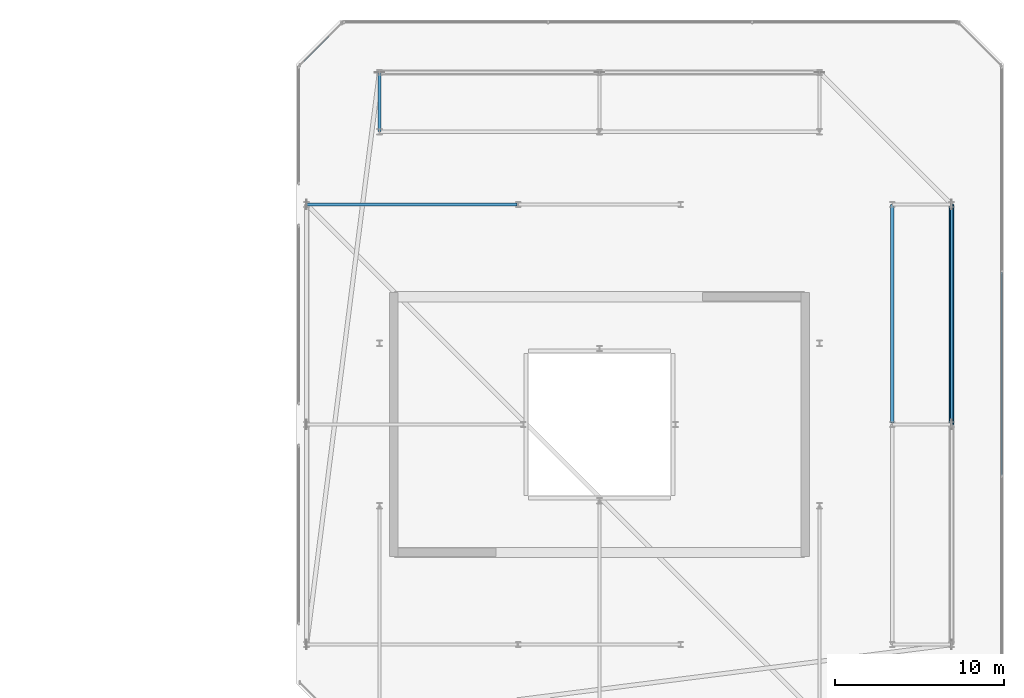
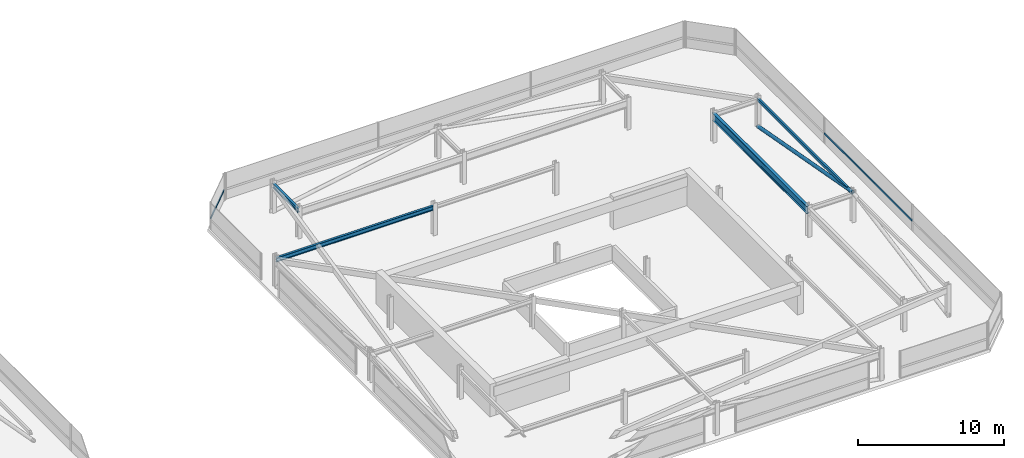
# One storey, part 32 of 42: 4 beams, 3 members, 2 elements without a shape of their own.
"""IFC4 building model written with IfcOpenShell, lengths in metres."""

from ifc_helpers import new_model, si_unit, direction, frame, origin, origin_2d, place, context, subcontext, project, spatial, hollow_rectangle, hollow_circle, i_section, extrude, material, material_profile, profile_set, type_object, element, aggregate, save


model = new_model("IFC4")

# Units and contexts
model_context = context("Model", 3, precision=1e-05, world=origin(), true_north=direction((0.0, 1.0)))
body_context = subcontext(model_context, "Body", "Model", "MODEL_VIEW")
ifc_project = project(units=[si_unit("LENGTHUNIT", "METRE"), si_unit("AREAUNIT", "SQUARE_METRE"), si_unit("VOLUMEUNIT", "CUBIC_METRE"), si_unit("PLANEANGLEUNIT", "RADIAN"), si_unit("MASSUNIT", "GRAM", prefix="KILO")], contexts=[model_context])

# Site, building, storey
site_placement = place(None, origin())
site = spatial("IfcSite", under=ifc_project, at=site_placement, CompositionType="ELEMENT")
building_placement = place(site_placement, origin())
building = spatial("IfcBuilding", under=site, at=building_placement, Name="Thornwick Lancets Civic Towers", CompositionType="ELEMENT")
storey_placement = place(building_placement, frame((0.0, 0.0, 286.800048828125)))
storey = spatial("IfcBuildingStorey", under=building, at=storey_placement, Name="C03", CompositionType="ELEMENT", Elevation=286.800048828125)

# Beams
ifc_material_1 = material(Name="Steel S355JR", Category="steel")
ifc_material_profile_1 = material_profile(ifc_material_1, hollow_rectangle(XDim=0.14990234375, YDim=0.25, WallThickness=0.012451171875, at=origin_2d()), Name="RHS 250x150x12.5")
ifc_profile_set_1 = profile_set([ifc_material_profile_1], Name="Steel S355JR")
beam_type_1 = type_object("IfcBeamType", Name="BM_CROWN_RHS250", PredefinedType="BEAM", material=ifc_profile_set_1)
beam_1_placement = place(storey_placement, frame((109.300048828125, 27.080078125, 2.31494140625), z_axis=(0.0, 1.0, 0.0), x_axis=(-1.0, 0.0, 0.0)))
element("IfcBeam", 1, at=beam_1_placement, inside=storey, type_object=beam_type_1, Name="BM-EDGE-C03-B-S0-2", PredefinedType="BEAM", context=body_context, shape_type="SweptSolid", body=[
    extrude(hollow_rectangle(XDim=0.14990234375, YDim=0.25, WallThickness=0.012451171875, at=origin_2d()), origin(), (0.0, 0.0, 1.0), 12.919921875),
])
ifc_material_profile_2 = material_profile(ifc_material_1, i_section(OverallWidth=0.230224609375, OverallDepth=0.6171875, WebThickness=0.01318359375, FlangeThickness=0.022216796875, FilletRadius=0.0126953125, at=origin_2d()), Name="UKB 610x229x140")
ifc_profile_set_2 = profile_set([ifc_material_profile_2], Name="Steel S355JR")
beam_type_2 = type_object("IfcBeamType", Name="BM_GIRD_610_140", PredefinedType="BEAM", material=ifc_profile_set_2)
beam_2_placement = place(storey_placement, frame((105.800048828125, 27.080078125, 2.13134765625), z_axis=(0.0, 1.0, 0.0), x_axis=(-1.0, 0.0, 0.0)))
element("IfcBeam", 2, at=beam_2_placement, inside=storey, type_object=beam_type_2, Name="BM-SPINE-C03-B-1-2", PredefinedType="BEAM", context=body_context, shape_type="SweptSolid", body=[
    extrude(i_section(OverallWidth=0.230224609375, OverallDepth=0.6171875, WebThickness=0.01318359375, FlangeThickness=0.022216796875, FilletRadius=0.0126953125, at=origin_2d()), origin(), (0.0, 0.0, 1.0), 12.919921875),
])
ifc_material_profile_3 = material_profile(ifc_material_1, i_section(OverallWidth=0.173095703125, OverallDepth=0.36328125, WebThickness=0.009033203125, FlangeThickness=0.015625, FilletRadius=0.01025390625, at=origin_2d()), Name="UKB 356x171x67")
ifc_profile_set_3 = profile_set([ifc_material_profile_3], Name="Steel S355JR")
beam_type_3 = type_object("IfcBeamType", Name="BM_JOIST_356_67", PredefinedType="JOIST", material=ifc_profile_set_3)
beam_3_placement = place(storey_placement, frame((75.5, 44.300048828125, 2.25830078125), z_axis=(0.0, 1.0, 0.0), x_axis=(-1.0, 0.0, 0.0)))
element("IfcBeam", 3, at=beam_3_placement, inside=storey, type_object=beam_type_3, Name="BM-RAD-C03-B06", PredefinedType="JOIST", context=body_context, shape_type="SweptSolid", body=[
    extrude(i_section(OverallWidth=0.173095703125, OverallDepth=0.36328125, WebThickness=0.009033203125, FlangeThickness=0.015625, FilletRadius=0.01025390625, at=origin_2d()), origin(), (0.0, 0.0, 1.0), 3.5),
])
beam_4_placement = place(storey_placement, frame((83.6201171875, 40.0, 2.25830078125), z_axis=(-1.0, 0.0, 0.0), x_axis=(0.0, -1.0, 0.0)))
element("IfcBeam", 4, at=beam_4_placement, inside=storey, type_object=beam_type_3, Name="BM-RADIN-C03-B09", PredefinedType="JOIST", context=body_context, shape_type="SweptSolid", body=[
    extrude(i_section(OverallWidth=0.173095703125, OverallDepth=0.36328125, WebThickness=0.009033203125, FlangeThickness=0.015625, FilletRadius=0.01025390625, at=origin_2d()), origin(), (0.0, 0.0, 1.0), 12.420166015625),
])

# Curtain wall, member
ifc_material_2 = material(Name="Crown ring acoustic-louvre and glazing screen wall", Category="glass")
curtain_wall_type = type_object("IfcCurtainWallType", Name="CW_SYS_07", PredefinedType="NOTDEFINED", material=ifc_material_2)
curtain_wall_1_placement = place(storey_placement, origin())
curtain_wall_1 = element("IfcCurtainWall", 5, at=curtain_wall_1_placement, inside=storey, type_object=curtain_wall_type, Name="C03 Curtain Wall CW-C03-B-E2", PredefinedType="NOTDEFINED")
ifc_material_3 = material(Name="Thermally broken bronze aluminium S355", Category="steel")
ifc_material_profile_4 = material_profile(ifc_material_3, hollow_rectangle(XDim=0.074951171875, YDim=0.14990234375, WallThickness=0.0048828125, at=origin_2d()), Name="RHS 150x75x5")
ifc_profile_set_4 = profile_set([ifc_material_profile_4], Name="Thermally broken bronze aluminium S355")
member_type_1 = type_object("IfcMemberType", Name="CW_TRN_150", PredefinedType="USERDEFINED", material=ifc_profile_set_4)
member_1_placement = place(storey_placement, frame((112.2646484375, 23.986083984375, 0.849853515625), z_axis=(0.0, 1.0, 0.0), x_axis=(-1.0, 0.0, 0.0)))
member_1 = element("IfcMember", 6, at=member_1_placement, type_object=member_type_1, Name="CW-C03-B-E2 Transom 1", ObjectType="TRANSOM", PredefinedType="USERDEFINED", context=body_context, shape_type="SweptSolid", body=[
    extrude(hollow_rectangle(XDim=0.074951171875, YDim=0.14990234375, WallThickness=0.0048828125, at=origin_2d()), origin(), (0.0, 0.0, 1.0), 12.02783203125),
])
aggregate(curtain_wall_1, [member_1])

curtain_wall_2_placement = place(storey_placement, origin())
curtain_wall_2 = element("IfcCurtainWall", 7, at=curtain_wall_2_placement, inside=storey, type_object=curtain_wall_type, Name="C03 Curtain Wall CW-C03-B-E5", PredefinedType="NOTDEFINED")
member_2_placement = place(storey_placement, frame((73.247802734375, 50.69384765625, 0.849853515625), z_axis=(-0.707106781187, -0.707106781187, 0.0), x_axis=(0.707106781187, -0.707106781187, 0.0)))
member_2 = element("IfcMember", 8, at=member_2_placement, type_object=member_type_1, Name="CW-C03-B-E5 Transom 0", ObjectType="TRANSOM", PredefinedType="USERDEFINED", context=body_context, shape_type="SweptSolid", body=[
    extrude(hollow_rectangle(XDim=0.074951171875, YDim=0.14990234375, WallThickness=0.0048828125, at=origin_2d()), origin(), (0.0, 0.0, 1.0), 3.453125),
])
aggregate(curtain_wall_2, [member_2])

# Member
ifc_material_profile_5 = material_profile(ifc_material_1, hollow_circle(Radius=0.136474609375, WallThickness=0.012451171875, at=origin_2d()), Name="CHS 273x12.5")
ifc_profile_set_5 = profile_set([ifc_material_profile_5], Name="Steel S355JR")
member_type_2 = type_object("IfcMemberType", Name="MEM_CROWN_CHS273", PredefinedType="BRACE", material=ifc_profile_set_5)
member_3_placement = place(storey_placement, frame((109.300048828125, 40.0, 0.050048828125), z_axis=(0.0, -0.98351842104, 0.180807951915), x_axis=(1.0, 0.0, 0.0)))
element("IfcMember", 9, at=member_3_placement, inside=storey, type_object=member_type_2, Name="C03 Crown Ring Lancet Rib B-S0-R", PredefinedType="BRACE", context=body_context, shape_type="SweptSolid", body=[
    extrude(hollow_circle(Radius=0.136474609375, WallThickness=0.012451171875, at=origin_2d()), origin(), (0.0, 0.0, 1.0), 13.2177734375),
])

save(model, "model.ifc")
